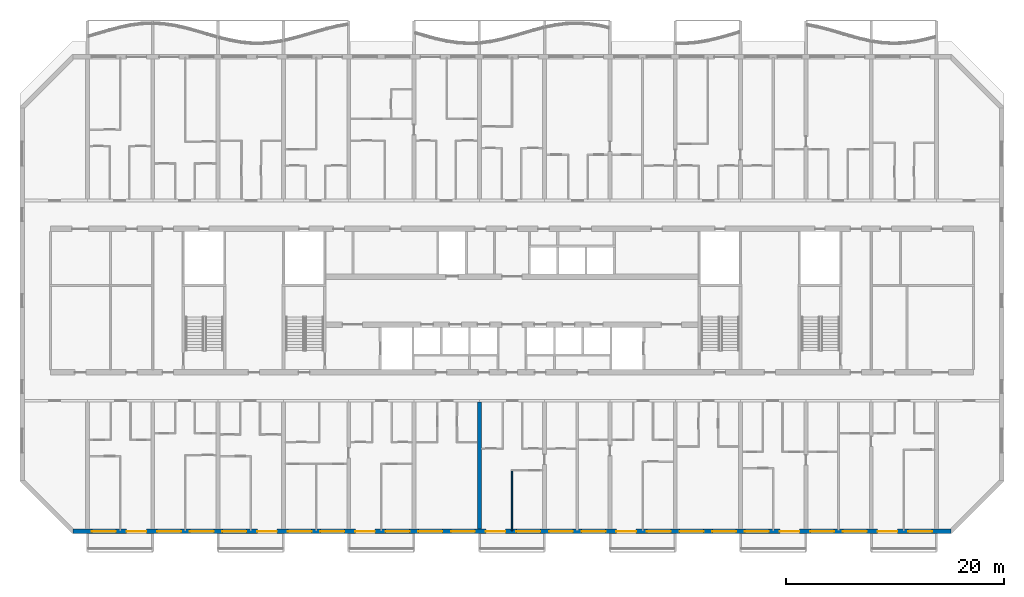
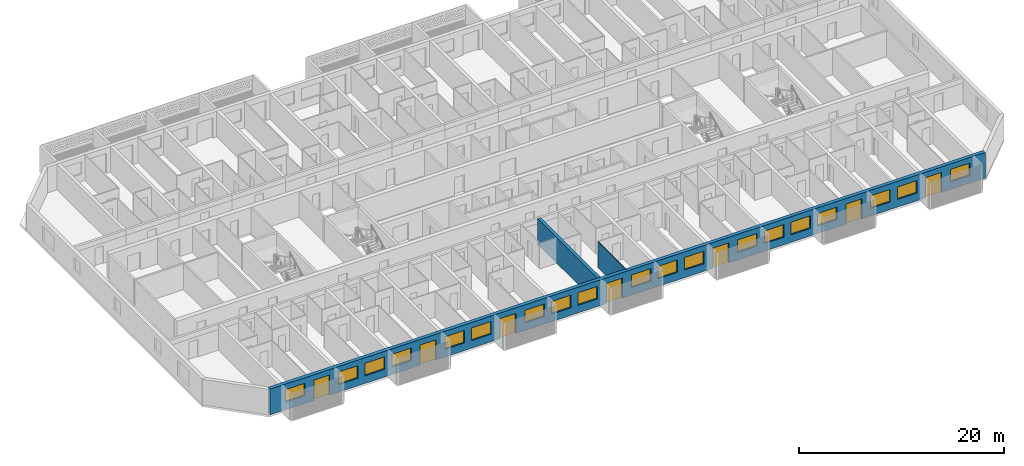
# One storey, part 5 of 28: 19 windows, 7 doors, 3 walls, 26 openings.
"""IFC4 building model written with IfcOpenShell, lengths in metres."""

from ifc_helpers import new_model, si_unit, direction, frame, frame_2d, origin, place, context, subcontext, project, spatial, rectangle, extrude, material, layer, layer_set, type_object, element, fill, save


model = new_model("IFC4")

# Units and contexts
model_context = context("Model", 3, precision=1e-05, world=origin(), true_north=direction((0.0, 1.0)))
body_context = subcontext(model_context, "Body", "Model", "MODEL_VIEW")
ifc_project = project(units=[si_unit("LENGTHUNIT", "METRE"), si_unit("AREAUNIT", "SQUARE_METRE"), si_unit("VOLUMEUNIT", "CUBIC_METRE"), si_unit("PLANEANGLEUNIT", "RADIAN"), si_unit("MASSUNIT", "GRAM", prefix="KILO")], contexts=[model_context])

# Site, building, storey
site_placement = place(None, origin())
site = spatial("IfcSite", under=ifc_project, at=site_placement, CompositionType="ELEMENT")
building_placement = place(site_placement, origin())
building = spatial("IfcBuilding", under=site, at=building_placement, Name="Poui Terraces", CompositionType="ELEMENT")
storey_placement = place(building_placement, frame((0.0, 0.0, 72.89990234375)))
storey = spatial("IfcBuildingStorey", under=building, at=storey_placement, Name="L19", CompositionType="ELEMENT", Elevation=72.89990234375)

# Wall
ifc_material_1 = material(Name="Concrete 65 MPa", Category="concrete")
ifc_layer_1 = layer(ifc_material_1, 0.35009765625)
ifc_layer_set_1 = layer_set([ifc_layer_1], Name="Concrete 65 MPa")
wall_type_1 = type_object("IfcWallType", Name="CROSS WALL 350 65MPa", PredefinedType="SHEAR", material=ifc_layer_set_1)
wall_1_placement = place(storey_placement, frame((48.0, 0.199951171875, 0.0), z_axis=(0.0, 0.0, 1.0), x_axis=(0.0, 1.0, 0.0)))
element("IfcWall", 1, at=wall_1_placement, inside=storey, type_object=wall_type_1, Name="CROSS WALL LINE 9 SOUTH", PredefinedType="SHEAR", context=body_context, shape_type="SweptSolid", body=[
    extrude(rectangle(XDim=11.675048828125, YDim=0.35009765625, at=frame_2d((5.83740234375, 0.0))), origin(), (0.0, 0.0, 1.0), 3.06005859375),
])

# Wall, openings, doors, windows
ifc_material_2 = material(Name="Precast concrete 40 MPa", Category="concrete")
ifc_layer_2 = layer(ifc_material_2, 0.39990234375)
ifc_layer_set_2 = layer_set([ifc_layer_2], Name="Precast concrete 40 MPa")
wall_type_2 = type_object("IfcWallType", Name="EXTERNAL WALL 400", PredefinedType="STANDARD", material=ifc_layer_set_2)
wall_2_placement = place(storey_placement, frame((10.682861328125, 0.0, 0.0), z_axis=(0.0, 0.0, 1.0), x_axis=(1.0, 0.0, 0.0)))
wall_2 = element("IfcWall", 2, at=wall_2_placement, inside=storey, type_object=wall_type_2, Name="EXTERNAL WALL S", PredefinedType="STANDARD", context=body_context, shape_type="SweptSolid", body=[
    extrude(rectangle(XDim=80.63427734375, YDim=0.39990234375, at=frame_2d((40.317138671875, 0.0))), origin(), (0.0, 0.0, 1.0), 3.06005859375),
])
opening_1_placement = place(wall_2_placement, frame((1.71728515625, 0.0, 0.89990234375)))
opening_1 = element("IfcOpeningElement", 3, at=opening_1_placement, cuts=wall_2, Name="Opening W1", PredefinedType="OPENING", context=body_context, shape_type="SweptSolid", body=[
    extrude(rectangle(XDim=2.199951171875, YDim=1.5, at=frame_2d((1.10009765625, 0.75))), frame((0.0, 0.2099609375, 0.0), z_axis=(0.0, -1.0, 0.0), x_axis=(1.0, 0.0, 0.0)), (0.0, 0.0, 1.0), 0.419921875),
])
opening_2_placement = place(wall_2_placement, frame((4.917236328125, 0.0, 0.0)))
opening_2 = element("IfcOpeningElement", 4, at=opening_2_placement, cuts=wall_2, Name="Opening BD1", PredefinedType="OPENING", context=body_context, shape_type="SweptSolid", body=[
    extrude(rectangle(XDim=1.800048828125, YDim=2.39990234375, at=frame_2d((0.89990234375, 1.199951171875))), frame((0.0, 0.2099609375, 0.0), z_axis=(0.0, -1.0, 0.0), x_axis=(1.0, 0.0, 0.0)), (0.0, 0.0, 1.0), 0.419921875),
])
opening_3_placement = place(wall_2_placement, frame((7.71728515625, 0.0, 0.89990234375)))
opening_3 = element("IfcOpeningElement", 5, at=opening_3_placement, cuts=wall_2, Name="Opening W1", PredefinedType="OPENING", context=body_context, shape_type="SweptSolid", body=[
    extrude(rectangle(XDim=2.199951171875, YDim=1.5, at=frame_2d((1.10009765625, 0.75))), frame((0.0, 0.2099609375, 0.0), z_axis=(0.0, -1.0, 0.0), x_axis=(1.0, 0.0, 0.0)), (0.0, 0.0, 1.0), 0.419921875),
])
opening_4_placement = place(wall_2_placement, frame((10.71728515625, 0.0, 0.89990234375)))
opening_4 = element("IfcOpeningElement", 6, at=opening_4_placement, cuts=wall_2, Name="Opening W1", PredefinedType="OPENING", context=body_context, shape_type="SweptSolid", body=[
    extrude(rectangle(XDim=2.199951171875, YDim=1.5, at=frame_2d((1.10009765625, 0.75))), frame((0.0, 0.2099609375, 0.0), z_axis=(0.0, -1.0, 0.0), x_axis=(1.0, 0.0, 0.0)), (0.0, 0.0, 1.0), 0.419921875),
])
opening_5_placement = place(wall_2_placement, frame((13.71728515625, 0.0, 0.89990234375)))
opening_5 = element("IfcOpeningElement", 7, at=opening_5_placement, cuts=wall_2, Name="Opening W1", PredefinedType="OPENING", context=body_context, shape_type="SweptSolid", body=[
    extrude(rectangle(XDim=2.199951171875, YDim=1.5, at=frame_2d((1.10009765625, 0.75))), frame((0.0, 0.2099609375, 0.0), z_axis=(0.0, -1.0, 0.0), x_axis=(1.0, 0.0, 0.0)), (0.0, 0.0, 1.0), 0.419921875),
])
opening_6_placement = place(wall_2_placement, frame((16.917236328125, 0.0, 0.0)))
opening_6 = element("IfcOpeningElement", 8, at=opening_6_placement, cuts=wall_2, Name="Opening BD1", PredefinedType="OPENING", context=body_context, shape_type="SweptSolid", body=[
    extrude(rectangle(XDim=1.800048828125, YDim=2.39990234375, at=frame_2d((0.89990234375, 1.199951171875))), frame((0.0, 0.2099609375, 0.0), z_axis=(0.0, -1.0, 0.0), x_axis=(1.0, 0.0, 0.0)), (0.0, 0.0, 1.0), 0.419921875),
])
opening_7_placement = place(wall_2_placement, frame((19.71728515625, 0.0, 0.89990234375)))
opening_7 = element("IfcOpeningElement", 9, at=opening_7_placement, cuts=wall_2, Name="Opening W1", PredefinedType="OPENING", context=body_context, shape_type="SweptSolid", body=[
    extrude(rectangle(XDim=2.199951171875, YDim=1.5, at=frame_2d((1.10009765625, 0.75))), frame((0.0, 0.2099609375, 0.0), z_axis=(0.0, -1.0, 0.0), x_axis=(1.0, 0.0, 0.0)), (0.0, 0.0, 1.0), 0.419921875),
])
opening_8_placement = place(wall_2_placement, frame((22.71728515625, 0.0, 0.89990234375)))
opening_8 = element("IfcOpeningElement", 10, at=opening_8_placement, cuts=wall_2, Name="Opening W1", PredefinedType="OPENING", context=body_context, shape_type="SweptSolid", body=[
    extrude(rectangle(XDim=2.199951171875, YDim=1.5, at=frame_2d((1.10009765625, 0.75))), frame((0.0, 0.2099609375, 0.0), z_axis=(0.0, -1.0, 0.0), x_axis=(1.0, 0.0, 0.0)), (0.0, 0.0, 1.0), 0.419921875),
])
opening_9_placement = place(wall_2_placement, frame((25.917236328125, 0.0, 0.0)))
opening_9 = element("IfcOpeningElement", 11, at=opening_9_placement, cuts=wall_2, Name="Opening BD1", PredefinedType="OPENING", context=body_context, shape_type="SweptSolid", body=[
    extrude(rectangle(XDim=1.800048828125, YDim=2.39990234375, at=frame_2d((0.89990234375, 1.199951171875))), frame((0.0, 0.2099609375, 0.0), z_axis=(0.0, -1.0, 0.0), x_axis=(1.0, 0.0, 0.0)), (0.0, 0.0, 1.0), 0.419921875),
])
opening_10_placement = place(wall_2_placement, frame((28.71728515625, 0.0, 0.89990234375)))
opening_10 = element("IfcOpeningElement", 12, at=opening_10_placement, cuts=wall_2, Name="Opening W1", PredefinedType="OPENING", context=body_context, shape_type="SweptSolid", body=[
    extrude(rectangle(XDim=2.199951171875, YDim=1.5, at=frame_2d((1.10009765625, 0.75))), frame((0.0, 0.2099609375, 0.0), z_axis=(0.0, -1.0, 0.0), x_axis=(1.0, 0.0, 0.0)), (0.0, 0.0, 1.0), 0.419921875),
])
opening_11_placement = place(wall_2_placement, frame((31.71728515625, 0.0, 0.89990234375)))
opening_11 = element("IfcOpeningElement", 13, at=opening_11_placement, cuts=wall_2, Name="Opening W1", PredefinedType="OPENING", context=body_context, shape_type="SweptSolid", body=[
    extrude(rectangle(XDim=2.199951171875, YDim=1.5, at=frame_2d((1.10009765625, 0.75))), frame((0.0, 0.2099609375, 0.0), z_axis=(0.0, -1.0, 0.0), x_axis=(1.0, 0.0, 0.0)), (0.0, 0.0, 1.0), 0.419921875),
])
opening_12_placement = place(wall_2_placement, frame((34.71728515625, 0.0, 0.89990234375)))
opening_12 = element("IfcOpeningElement", 14, at=opening_12_placement, cuts=wall_2, Name="Opening W1", PredefinedType="OPENING", context=body_context, shape_type="SweptSolid", body=[
    extrude(rectangle(XDim=2.199951171875, YDim=1.5, at=frame_2d((1.10009765625, 0.75))), frame((0.0, 0.2099609375, 0.0), z_axis=(0.0, -1.0, 0.0), x_axis=(1.0, 0.0, 0.0)), (0.0, 0.0, 1.0), 0.419921875),
])
opening_13_placement = place(wall_2_placement, frame((37.917236328125, 0.0, 0.0)))
opening_13 = element("IfcOpeningElement", 15, at=opening_13_placement, cuts=wall_2, Name="Opening BD1", PredefinedType="OPENING", context=body_context, shape_type="SweptSolid", body=[
    extrude(rectangle(XDim=1.800048828125, YDim=2.39990234375, at=frame_2d((0.89990234375, 1.199951171875))), frame((0.0, 0.2099609375, 0.0), z_axis=(0.0, -1.0, 0.0), x_axis=(1.0, 0.0, 0.0)), (0.0, 0.0, 1.0), 0.419921875),
])
opening_14_placement = place(wall_2_placement, frame((40.71728515625, 0.0, 0.89990234375)))
opening_14 = element("IfcOpeningElement", 16, at=opening_14_placement, cuts=wall_2, Name="Opening W1", PredefinedType="OPENING", context=body_context, shape_type="SweptSolid", body=[
    extrude(rectangle(XDim=2.199951171875, YDim=1.5, at=frame_2d((1.10009765625, 0.75))), frame((0.0, 0.2099609375, 0.0), z_axis=(0.0, -1.0, 0.0), x_axis=(1.0, 0.0, 0.0)), (0.0, 0.0, 1.0), 0.419921875),
])
opening_15_placement = place(wall_2_placement, frame((43.71728515625, 0.0, 0.89990234375)))
opening_15 = element("IfcOpeningElement", 17, at=opening_15_placement, cuts=wall_2, Name="Opening W1", PredefinedType="OPENING", context=body_context, shape_type="SweptSolid", body=[
    extrude(rectangle(XDim=2.199951171875, YDim=1.5, at=frame_2d((1.10009765625, 0.75))), frame((0.0, 0.2099609375, 0.0), z_axis=(0.0, -1.0, 0.0), x_axis=(1.0, 0.0, 0.0)), (0.0, 0.0, 1.0), 0.419921875),
])
opening_16_placement = place(wall_2_placement, frame((46.71728515625, 0.0, 0.89990234375)))
opening_16 = element("IfcOpeningElement", 18, at=opening_16_placement, cuts=wall_2, Name="Opening W1", PredefinedType="OPENING", context=body_context, shape_type="SweptSolid", body=[
    extrude(rectangle(XDim=2.199951171875, YDim=1.5, at=frame_2d((1.10009765625, 0.75))), frame((0.0, 0.2099609375, 0.0), z_axis=(0.0, -1.0, 0.0), x_axis=(1.0, 0.0, 0.0)), (0.0, 0.0, 1.0), 0.419921875),
])
opening_17_placement = place(wall_2_placement, frame((49.917236328125, 0.0, 0.0)))
opening_17 = element("IfcOpeningElement", 19, at=opening_17_placement, cuts=wall_2, Name="Opening BD1", PredefinedType="OPENING", context=body_context, shape_type="SweptSolid", body=[
    extrude(rectangle(XDim=1.800048828125, YDim=2.39990234375, at=frame_2d((0.89990234375, 1.199951171875))), frame((0.0, 0.2099609375, 0.0), z_axis=(0.0, -1.0, 0.0), x_axis=(1.0, 0.0, 0.0)), (0.0, 0.0, 1.0), 0.419921875),
])
opening_18_placement = place(wall_2_placement, frame((52.71728515625, 0.0, 0.89990234375)))
opening_18 = element("IfcOpeningElement", 20, at=opening_18_placement, cuts=wall_2, Name="Opening W1", PredefinedType="OPENING", context=body_context, shape_type="SweptSolid", body=[
    extrude(rectangle(XDim=2.199951171875, YDim=1.5, at=frame_2d((1.10009765625, 0.75))), frame((0.0, 0.2099609375, 0.0), z_axis=(0.0, -1.0, 0.0), x_axis=(1.0, 0.0, 0.0)), (0.0, 0.0, 1.0), 0.419921875),
])
opening_19_placement = place(wall_2_placement, frame((55.71728515625, 0.0, 0.89990234375)))
opening_19 = element("IfcOpeningElement", 21, at=opening_19_placement, cuts=wall_2, Name="Opening W1", PredefinedType="OPENING", context=body_context, shape_type="SweptSolid", body=[
    extrude(rectangle(XDim=2.199951171875, YDim=1.5, at=frame_2d((1.10009765625, 0.75))), frame((0.0, 0.2099609375, 0.0), z_axis=(0.0, -1.0, 0.0), x_axis=(1.0, 0.0, 0.0)), (0.0, 0.0, 1.0), 0.419921875),
])
opening_20_placement = place(wall_2_placement, frame((58.71728515625, 0.0, 0.89990234375)))
opening_20 = element("IfcOpeningElement", 22, at=opening_20_placement, cuts=wall_2, Name="Opening W1", PredefinedType="OPENING", context=body_context, shape_type="SweptSolid", body=[
    extrude(rectangle(XDim=2.199951171875, YDim=1.5, at=frame_2d((1.10009765625, 0.75))), frame((0.0, 0.2099609375, 0.0), z_axis=(0.0, -1.0, 0.0), x_axis=(1.0, 0.0, 0.0)), (0.0, 0.0, 1.0), 0.419921875),
])
opening_21_placement = place(wall_2_placement, frame((61.71728515625, 0.0, 0.89990234375)))
opening_21 = element("IfcOpeningElement", 23, at=opening_21_placement, cuts=wall_2, Name="Opening W1", PredefinedType="OPENING", context=body_context, shape_type="SweptSolid", body=[
    extrude(rectangle(XDim=2.199951171875, YDim=1.5, at=frame_2d((1.10009765625, 0.75))), frame((0.0, 0.2099609375, 0.0), z_axis=(0.0, -1.0, 0.0), x_axis=(1.0, 0.0, 0.0)), (0.0, 0.0, 1.0), 0.419921875),
])
opening_22_placement = place(wall_2_placement, frame((64.917236328125, 0.0, 0.0)))
opening_22 = element("IfcOpeningElement", 24, at=opening_22_placement, cuts=wall_2, Name="Opening BD1", PredefinedType="OPENING", context=body_context, shape_type="SweptSolid", body=[
    extrude(rectangle(XDim=1.800048828125, YDim=2.39990234375, at=frame_2d((0.89990234375, 1.199951171875))), frame((0.0, 0.2099609375, 0.0), z_axis=(0.0, -1.0, 0.0), x_axis=(1.0, 0.0, 0.0)), (0.0, 0.0, 1.0), 0.419921875),
])
opening_23_placement = place(wall_2_placement, frame((67.71728515625, 0.0, 0.89990234375)))
opening_23 = element("IfcOpeningElement", 25, at=opening_23_placement, cuts=wall_2, Name="Opening W1", PredefinedType="OPENING", context=body_context, shape_type="SweptSolid", body=[
    extrude(rectangle(XDim=2.199951171875, YDim=1.5, at=frame_2d((1.10009765625, 0.75))), frame((0.0, 0.2099609375, 0.0), z_axis=(0.0, -1.0, 0.0), x_axis=(1.0, 0.0, 0.0)), (0.0, 0.0, 1.0), 0.419921875),
])
opening_24_placement = place(wall_2_placement, frame((70.71728515625, 0.0, 0.89990234375)))
opening_24 = element("IfcOpeningElement", 26, at=opening_24_placement, cuts=wall_2, Name="Opening W1", PredefinedType="OPENING", context=body_context, shape_type="SweptSolid", body=[
    extrude(rectangle(XDim=2.199951171875, YDim=1.5, at=frame_2d((1.10009765625, 0.75))), frame((0.0, 0.2099609375, 0.0), z_axis=(0.0, -1.0, 0.0), x_axis=(1.0, 0.0, 0.0)), (0.0, 0.0, 1.0), 0.419921875),
])
opening_25_placement = place(wall_2_placement, frame((73.917236328125, 0.0, 0.0)))
opening_25 = element("IfcOpeningElement", 27, at=opening_25_placement, cuts=wall_2, Name="Opening BD1", PredefinedType="OPENING", context=body_context, shape_type="SweptSolid", body=[
    extrude(rectangle(XDim=1.800048828125, YDim=2.39990234375, at=frame_2d((0.89990234375, 1.199951171875))), frame((0.0, 0.2099609375, 0.0), z_axis=(0.0, -1.0, 0.0), x_axis=(1.0, 0.0, 0.0)), (0.0, 0.0, 1.0), 0.419921875),
])
opening_26_placement = place(wall_2_placement, frame((76.71728515625, 0.0, 0.89990234375)))
opening_26 = element("IfcOpeningElement", 28, at=opening_26_placement, cuts=wall_2, Name="Opening W1", PredefinedType="OPENING", context=body_context, shape_type="SweptSolid", body=[
    extrude(rectangle(XDim=2.199951171875, YDim=1.5, at=frame_2d((1.10009765625, 0.75))), frame((0.0, 0.2099609375, 0.0), z_axis=(0.0, -1.0, 0.0), x_axis=(1.0, 0.0, 0.0)), (0.0, 0.0, 1.0), 0.419921875),
])
ifc_material_3 = material(Name="Clear glass in aluminium frame", Category="aluminium")
door_type = type_object("IfcDoorType", Name="BALCONY DOOR 1800X2400", OperationType="DOUBLE_DOOR_SLIDING", PredefinedType="DOOR", material=ifc_material_3)
door_1_placement = place(opening_2_placement, origin())
door_1 = element("IfcDoor", 29, at=door_1_placement, inside=storey, type_object=door_type, Name="BD1 BALCONY DOOR", OperationType="DOUBLE_DOOR_SLIDING", OverallHeight=2.39990234375, OverallWidth=1.800048828125, PredefinedType="DOOR", context=body_context, shape_type="SweptSolid", body=[
    extrude(rectangle(XDim=1.800048828125, YDim=2.39990234375, at=frame_2d((0.89990234375, 1.199951171875))), frame((0.0, 0.02490234375, 0.0), z_axis=(0.0, -1.0, 0.0), x_axis=(1.0, 0.0, 0.0)), (0.0, 0.0, 1.0), 0.050048828125),
])
fill(opening_2, door_1)
door_2_placement = place(opening_6_placement, origin())
door_2 = element("IfcDoor", 30, at=door_2_placement, inside=storey, type_object=door_type, Name="BD1 BALCONY DOOR", OperationType="DOUBLE_DOOR_SLIDING", OverallHeight=2.39990234375, OverallWidth=1.800048828125, PredefinedType="DOOR", context=body_context, shape_type="SweptSolid", body=[
    extrude(rectangle(XDim=1.800048828125, YDim=2.39990234375, at=frame_2d((0.89990234375, 1.199951171875))), frame((0.0, 0.02490234375, 0.0), z_axis=(0.0, -1.0, 0.0), x_axis=(1.0, 0.0, 0.0)), (0.0, 0.0, 1.0), 0.050048828125),
])
fill(opening_6, door_2)
door_3_placement = place(opening_9_placement, origin())
door_3 = element("IfcDoor", 31, at=door_3_placement, inside=storey, type_object=door_type, Name="BD1 BALCONY DOOR", OperationType="DOUBLE_DOOR_SLIDING", OverallHeight=2.39990234375, OverallWidth=1.800048828125, PredefinedType="DOOR", context=body_context, shape_type="SweptSolid", body=[
    extrude(rectangle(XDim=1.800048828125, YDim=2.39990234375, at=frame_2d((0.89990234375, 1.199951171875))), frame((0.0, 0.02490234375, 0.0), z_axis=(0.0, -1.0, 0.0), x_axis=(1.0, 0.0, 0.0)), (0.0, 0.0, 1.0), 0.050048828125),
])
fill(opening_9, door_3)
door_4_placement = place(opening_13_placement, origin())
door_4 = element("IfcDoor", 32, at=door_4_placement, inside=storey, type_object=door_type, Name="BD1 BALCONY DOOR", OperationType="DOUBLE_DOOR_SLIDING", OverallHeight=2.39990234375, OverallWidth=1.800048828125, PredefinedType="DOOR", context=body_context, shape_type="SweptSolid", body=[
    extrude(rectangle(XDim=1.800048828125, YDim=2.39990234375, at=frame_2d((0.89990234375, 1.199951171875))), frame((0.0, 0.02490234375, 0.0), z_axis=(0.0, -1.0, 0.0), x_axis=(1.0, 0.0, 0.0)), (0.0, 0.0, 1.0), 0.050048828125),
])
fill(opening_13, door_4)
door_5_placement = place(opening_17_placement, origin())
door_5 = element("IfcDoor", 33, at=door_5_placement, inside=storey, type_object=door_type, Name="BD1 BALCONY DOOR", OperationType="DOUBLE_DOOR_SLIDING", OverallHeight=2.39990234375, OverallWidth=1.800048828125, PredefinedType="DOOR", context=body_context, shape_type="SweptSolid", body=[
    extrude(rectangle(XDim=1.800048828125, YDim=2.39990234375, at=frame_2d((0.89990234375, 1.199951171875))), frame((0.0, 0.02490234375, 0.0), z_axis=(0.0, -1.0, 0.0), x_axis=(1.0, 0.0, 0.0)), (0.0, 0.0, 1.0), 0.050048828125),
])
fill(opening_17, door_5)
door_6_placement = place(opening_22_placement, origin())
door_6 = element("IfcDoor", 34, at=door_6_placement, inside=storey, type_object=door_type, Name="BD1 BALCONY DOOR", OperationType="DOUBLE_DOOR_SLIDING", OverallHeight=2.39990234375, OverallWidth=1.800048828125, PredefinedType="DOOR", context=body_context, shape_type="SweptSolid", body=[
    extrude(rectangle(XDim=1.800048828125, YDim=2.39990234375, at=frame_2d((0.89990234375, 1.199951171875))), frame((0.0, 0.02490234375, 0.0), z_axis=(0.0, -1.0, 0.0), x_axis=(1.0, 0.0, 0.0)), (0.0, 0.0, 1.0), 0.050048828125),
])
fill(opening_22, door_6)
door_7_placement = place(opening_25_placement, origin())
door_7 = element("IfcDoor", 35, at=door_7_placement, inside=storey, type_object=door_type, Name="BD1 BALCONY DOOR", OperationType="DOUBLE_DOOR_SLIDING", OverallHeight=2.39990234375, OverallWidth=1.800048828125, PredefinedType="DOOR", context=body_context, shape_type="SweptSolid", body=[
    extrude(rectangle(XDim=1.800048828125, YDim=2.39990234375, at=frame_2d((0.89990234375, 1.199951171875))), frame((0.0, 0.02490234375, 0.0), z_axis=(0.0, -1.0, 0.0), x_axis=(1.0, 0.0, 0.0)), (0.0, 0.0, 1.0), 0.050048828125),
])
fill(opening_25, door_7)
window_type = type_object("IfcWindowType", Name="WINDOW 2200X1500", PartitioningType="DOUBLE_PANEL_HORIZONTAL", PredefinedType="WINDOW", material=ifc_material_3)
window_1_placement = place(opening_1_placement, origin())
window_1 = element("IfcWindow", 36, at=window_1_placement, inside=storey, type_object=window_type, Name="W1 WINDOW", OverallHeight=1.5, OverallWidth=2.199951171875, PartitioningType="DOUBLE_PANEL_HORIZONTAL", PredefinedType="WINDOW", context=body_context, shape_type="SweptSolid", body=[
    extrude(rectangle(XDim=2.199951171875, YDim=1.5, at=frame_2d((1.10009765625, 0.75))), frame((0.0, 0.030029296875, 0.0), z_axis=(0.0, -1.0, 0.0), x_axis=(1.0, 0.0, 0.0)), (0.0, 0.0, 1.0), 0.06005859375),
])
fill(opening_1, window_1)
window_2_placement = place(opening_3_placement, origin())
window_2 = element("IfcWindow", 37, at=window_2_placement, inside=storey, type_object=window_type, Name="W1 WINDOW", OverallHeight=1.5, OverallWidth=2.199951171875, PartitioningType="DOUBLE_PANEL_HORIZONTAL", PredefinedType="WINDOW", context=body_context, shape_type="SweptSolid", body=[
    extrude(rectangle(XDim=2.199951171875, YDim=1.5, at=frame_2d((1.10009765625, 0.75))), frame((0.0, 0.030029296875, 0.0), z_axis=(0.0, -1.0, 0.0), x_axis=(1.0, 0.0, 0.0)), (0.0, 0.0, 1.0), 0.06005859375),
])
fill(opening_3, window_2)
window_3_placement = place(opening_4_placement, origin())
window_3 = element("IfcWindow", 38, at=window_3_placement, inside=storey, type_object=window_type, Name="W1 WINDOW", OverallHeight=1.5, OverallWidth=2.199951171875, PartitioningType="DOUBLE_PANEL_HORIZONTAL", PredefinedType="WINDOW", context=body_context, shape_type="SweptSolid", body=[
    extrude(rectangle(XDim=2.199951171875, YDim=1.5, at=frame_2d((1.10009765625, 0.75))), frame((0.0, 0.030029296875, 0.0), z_axis=(0.0, -1.0, 0.0), x_axis=(1.0, 0.0, 0.0)), (0.0, 0.0, 1.0), 0.06005859375),
])
fill(opening_4, window_3)
window_4_placement = place(opening_5_placement, origin())
window_4 = element("IfcWindow", 39, at=window_4_placement, inside=storey, type_object=window_type, Name="W1 WINDOW", OverallHeight=1.5, OverallWidth=2.199951171875, PartitioningType="DOUBLE_PANEL_HORIZONTAL", PredefinedType="WINDOW", context=body_context, shape_type="SweptSolid", body=[
    extrude(rectangle(XDim=2.199951171875, YDim=1.5, at=frame_2d((1.10009765625, 0.75))), frame((0.0, 0.030029296875, 0.0), z_axis=(0.0, -1.0, 0.0), x_axis=(1.0, 0.0, 0.0)), (0.0, 0.0, 1.0), 0.06005859375),
])
fill(opening_5, window_4)
window_5_placement = place(opening_7_placement, origin())
window_5 = element("IfcWindow", 40, at=window_5_placement, inside=storey, type_object=window_type, Name="W1 WINDOW", OverallHeight=1.5, OverallWidth=2.199951171875, PartitioningType="DOUBLE_PANEL_HORIZONTAL", PredefinedType="WINDOW", context=body_context, shape_type="SweptSolid", body=[
    extrude(rectangle(XDim=2.199951171875, YDim=1.5, at=frame_2d((1.10009765625, 0.75))), frame((0.0, 0.030029296875, 0.0), z_axis=(0.0, -1.0, 0.0), x_axis=(1.0, 0.0, 0.0)), (0.0, 0.0, 1.0), 0.06005859375),
])
fill(opening_7, window_5)
window_6_placement = place(opening_8_placement, origin())
window_6 = element("IfcWindow", 41, at=window_6_placement, inside=storey, type_object=window_type, Name="W1 WINDOW", OverallHeight=1.5, OverallWidth=2.199951171875, PartitioningType="DOUBLE_PANEL_HORIZONTAL", PredefinedType="WINDOW", context=body_context, shape_type="SweptSolid", body=[
    extrude(rectangle(XDim=2.199951171875, YDim=1.5, at=frame_2d((1.10009765625, 0.75))), frame((0.0, 0.030029296875, 0.0), z_axis=(0.0, -1.0, 0.0), x_axis=(1.0, 0.0, 0.0)), (0.0, 0.0, 1.0), 0.06005859375),
])
fill(opening_8, window_6)
window_7_placement = place(opening_10_placement, origin())
window_7 = element("IfcWindow", 42, at=window_7_placement, inside=storey, type_object=window_type, Name="W1 WINDOW", OverallHeight=1.5, OverallWidth=2.199951171875, PartitioningType="DOUBLE_PANEL_HORIZONTAL", PredefinedType="WINDOW", context=body_context, shape_type="SweptSolid", body=[
    extrude(rectangle(XDim=2.199951171875, YDim=1.5, at=frame_2d((1.10009765625, 0.75))), frame((0.0, 0.030029296875, 0.0), z_axis=(0.0, -1.0, 0.0), x_axis=(1.0, 0.0, 0.0)), (0.0, 0.0, 1.0), 0.06005859375),
])
fill(opening_10, window_7)
window_8_placement = place(opening_11_placement, origin())
window_8 = element("IfcWindow", 43, at=window_8_placement, inside=storey, type_object=window_type, Name="W1 WINDOW", OverallHeight=1.5, OverallWidth=2.199951171875, PartitioningType="DOUBLE_PANEL_HORIZONTAL", PredefinedType="WINDOW", context=body_context, shape_type="SweptSolid", body=[
    extrude(rectangle(XDim=2.199951171875, YDim=1.5, at=frame_2d((1.10009765625, 0.75))), frame((0.0, 0.030029296875, 0.0), z_axis=(0.0, -1.0, 0.0), x_axis=(1.0, 0.0, 0.0)), (0.0, 0.0, 1.0), 0.06005859375),
])
fill(opening_11, window_8)
window_9_placement = place(opening_12_placement, origin())
window_9 = element("IfcWindow", 44, at=window_9_placement, inside=storey, type_object=window_type, Name="W1 WINDOW", OverallHeight=1.5, OverallWidth=2.199951171875, PartitioningType="DOUBLE_PANEL_HORIZONTAL", PredefinedType="WINDOW", context=body_context, shape_type="SweptSolid", body=[
    extrude(rectangle(XDim=2.199951171875, YDim=1.5, at=frame_2d((1.10009765625, 0.75))), frame((0.0, 0.030029296875, 0.0), z_axis=(0.0, -1.0, 0.0), x_axis=(1.0, 0.0, 0.0)), (0.0, 0.0, 1.0), 0.06005859375),
])
fill(opening_12, window_9)
window_10_placement = place(opening_14_placement, origin())
window_10 = element("IfcWindow", 45, at=window_10_placement, inside=storey, type_object=window_type, Name="W1 WINDOW", OverallHeight=1.5, OverallWidth=2.199951171875, PartitioningType="DOUBLE_PANEL_HORIZONTAL", PredefinedType="WINDOW", context=body_context, shape_type="SweptSolid", body=[
    extrude(rectangle(XDim=2.199951171875, YDim=1.5, at=frame_2d((1.10009765625, 0.75))), frame((0.0, 0.030029296875, 0.0), z_axis=(0.0, -1.0, 0.0), x_axis=(1.0, 0.0, 0.0)), (0.0, 0.0, 1.0), 0.06005859375),
])
fill(opening_14, window_10)
window_11_placement = place(opening_15_placement, origin())
window_11 = element("IfcWindow", 46, at=window_11_placement, inside=storey, type_object=window_type, Name="W1 WINDOW", OverallHeight=1.5, OverallWidth=2.199951171875, PartitioningType="DOUBLE_PANEL_HORIZONTAL", PredefinedType="WINDOW", context=body_context, shape_type="SweptSolid", body=[
    extrude(rectangle(XDim=2.199951171875, YDim=1.5, at=frame_2d((1.10009765625, 0.75))), frame((0.0, 0.030029296875, 0.0), z_axis=(0.0, -1.0, 0.0), x_axis=(1.0, 0.0, 0.0)), (0.0, 0.0, 1.0), 0.06005859375),
])
fill(opening_15, window_11)
window_12_placement = place(opening_16_placement, origin())
window_12 = element("IfcWindow", 47, at=window_12_placement, inside=storey, type_object=window_type, Name="W1 WINDOW", OverallHeight=1.5, OverallWidth=2.199951171875, PartitioningType="DOUBLE_PANEL_HORIZONTAL", PredefinedType="WINDOW", context=body_context, shape_type="SweptSolid", body=[
    extrude(rectangle(XDim=2.199951171875, YDim=1.5, at=frame_2d((1.10009765625, 0.75))), frame((0.0, 0.030029296875, 0.0), z_axis=(0.0, -1.0, 0.0), x_axis=(1.0, 0.0, 0.0)), (0.0, 0.0, 1.0), 0.06005859375),
])
fill(opening_16, window_12)
window_13_placement = place(opening_18_placement, origin())
window_13 = element("IfcWindow", 48, at=window_13_placement, inside=storey, type_object=window_type, Name="W1 WINDOW", OverallHeight=1.5, OverallWidth=2.199951171875, PartitioningType="DOUBLE_PANEL_HORIZONTAL", PredefinedType="WINDOW", context=body_context, shape_type="SweptSolid", body=[
    extrude(rectangle(XDim=2.199951171875, YDim=1.5, at=frame_2d((1.10009765625, 0.75))), frame((0.0, 0.030029296875, 0.0), z_axis=(0.0, -1.0, 0.0), x_axis=(1.0, 0.0, 0.0)), (0.0, 0.0, 1.0), 0.06005859375),
])
fill(opening_18, window_13)
window_14_placement = place(opening_19_placement, origin())
window_14 = element("IfcWindow", 49, at=window_14_placement, inside=storey, type_object=window_type, Name="W1 WINDOW", OverallHeight=1.5, OverallWidth=2.199951171875, PartitioningType="DOUBLE_PANEL_HORIZONTAL", PredefinedType="WINDOW", context=body_context, shape_type="SweptSolid", body=[
    extrude(rectangle(XDim=2.199951171875, YDim=1.5, at=frame_2d((1.10009765625, 0.75))), frame((0.0, 0.030029296875, 0.0), z_axis=(0.0, -1.0, 0.0), x_axis=(1.0, 0.0, 0.0)), (0.0, 0.0, 1.0), 0.06005859375),
])
fill(opening_19, window_14)
window_15_placement = place(opening_20_placement, origin())
window_15 = element("IfcWindow", 50, at=window_15_placement, inside=storey, type_object=window_type, Name="W1 WINDOW", OverallHeight=1.5, OverallWidth=2.199951171875, PartitioningType="DOUBLE_PANEL_HORIZONTAL", PredefinedType="WINDOW", context=body_context, shape_type="SweptSolid", body=[
    extrude(rectangle(XDim=2.199951171875, YDim=1.5, at=frame_2d((1.10009765625, 0.75))), frame((0.0, 0.030029296875, 0.0), z_axis=(0.0, -1.0, 0.0), x_axis=(1.0, 0.0, 0.0)), (0.0, 0.0, 1.0), 0.06005859375),
])
fill(opening_20, window_15)
window_16_placement = place(opening_21_placement, origin())
window_16 = element("IfcWindow", 51, at=window_16_placement, inside=storey, type_object=window_type, Name="W1 WINDOW", OverallHeight=1.5, OverallWidth=2.199951171875, PartitioningType="DOUBLE_PANEL_HORIZONTAL", PredefinedType="WINDOW", context=body_context, shape_type="SweptSolid", body=[
    extrude(rectangle(XDim=2.199951171875, YDim=1.5, at=frame_2d((1.10009765625, 0.75))), frame((0.0, 0.030029296875, 0.0), z_axis=(0.0, -1.0, 0.0), x_axis=(1.0, 0.0, 0.0)), (0.0, 0.0, 1.0), 0.06005859375),
])
fill(opening_21, window_16)
window_17_placement = place(opening_23_placement, origin())
window_17 = element("IfcWindow", 52, at=window_17_placement, inside=storey, type_object=window_type, Name="W1 WINDOW", OverallHeight=1.5, OverallWidth=2.199951171875, PartitioningType="DOUBLE_PANEL_HORIZONTAL", PredefinedType="WINDOW", context=body_context, shape_type="SweptSolid", body=[
    extrude(rectangle(XDim=2.199951171875, YDim=1.5, at=frame_2d((1.10009765625, 0.75))), frame((0.0, 0.030029296875, 0.0), z_axis=(0.0, -1.0, 0.0), x_axis=(1.0, 0.0, 0.0)), (0.0, 0.0, 1.0), 0.06005859375),
])
fill(opening_23, window_17)
window_18_placement = place(opening_24_placement, origin())
window_18 = element("IfcWindow", 53, at=window_18_placement, inside=storey, type_object=window_type, Name="W1 WINDOW", OverallHeight=1.5, OverallWidth=2.199951171875, PartitioningType="DOUBLE_PANEL_HORIZONTAL", PredefinedType="WINDOW", context=body_context, shape_type="SweptSolid", body=[
    extrude(rectangle(XDim=2.199951171875, YDim=1.5, at=frame_2d((1.10009765625, 0.75))), frame((0.0, 0.030029296875, 0.0), z_axis=(0.0, -1.0, 0.0), x_axis=(1.0, 0.0, 0.0)), (0.0, 0.0, 1.0), 0.06005859375),
])
fill(opening_24, window_18)
window_19_placement = place(opening_26_placement, origin())
window_19 = element("IfcWindow", 54, at=window_19_placement, inside=storey, type_object=window_type, Name="W1 WINDOW", OverallHeight=1.5, OverallWidth=2.199951171875, PartitioningType="DOUBLE_PANEL_HORIZONTAL", PredefinedType="WINDOW", context=body_context, shape_type="SweptSolid", body=[
    extrude(rectangle(XDim=2.199951171875, YDim=1.5, at=frame_2d((1.10009765625, 0.75))), frame((0.0, 0.030029296875, 0.0), z_axis=(0.0, -1.0, 0.0), x_axis=(1.0, 0.0, 0.0)), (0.0, 0.0, 1.0), 0.06005859375),
])
fill(opening_26, window_19)

# Wall
ifc_material_4 = material(Name="Plasterboard partition")
ifc_layer_3 = layer(ifc_material_4, 0.10009765625)
ifc_layer_set_3 = layer_set([ifc_layer_3], Name="Plasterboard partition")
wall_type_3 = type_object("IfcWallType", Name="FLAT PARTITION 100", PredefinedType="PARTITIONING", material=ifc_layer_set_3)
wall_3_placement = place(storey_placement, frame((51.0, 0.06005859375, 0.0), z_axis=(0.0, 0.0, 1.0), x_axis=(0.0, 1.0, 0.0)))
element("IfcWall", 55, at=wall_3_placement, inside=storey, type_object=wall_type_3, Name="FLAT PARTITION 100", PredefinedType="PARTITIONING", context=body_context, shape_type="SweptSolid", body=[
    extrude(rectangle(XDim=5.489990234375, YDim=0.10009765625, at=frame_2d((2.7451171875, 0.0))), origin(), (0.0, 0.0, 1.0), 3.06005859375),
])

save(model, "model.ifc")
